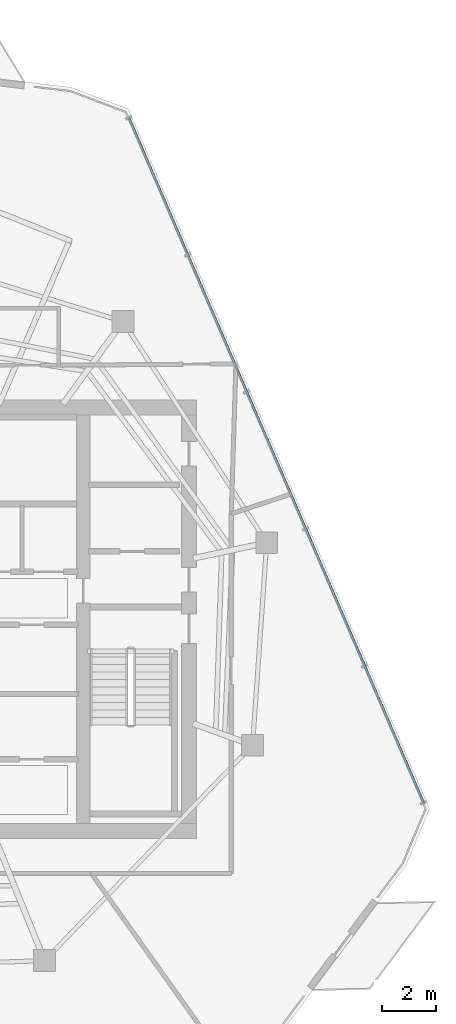
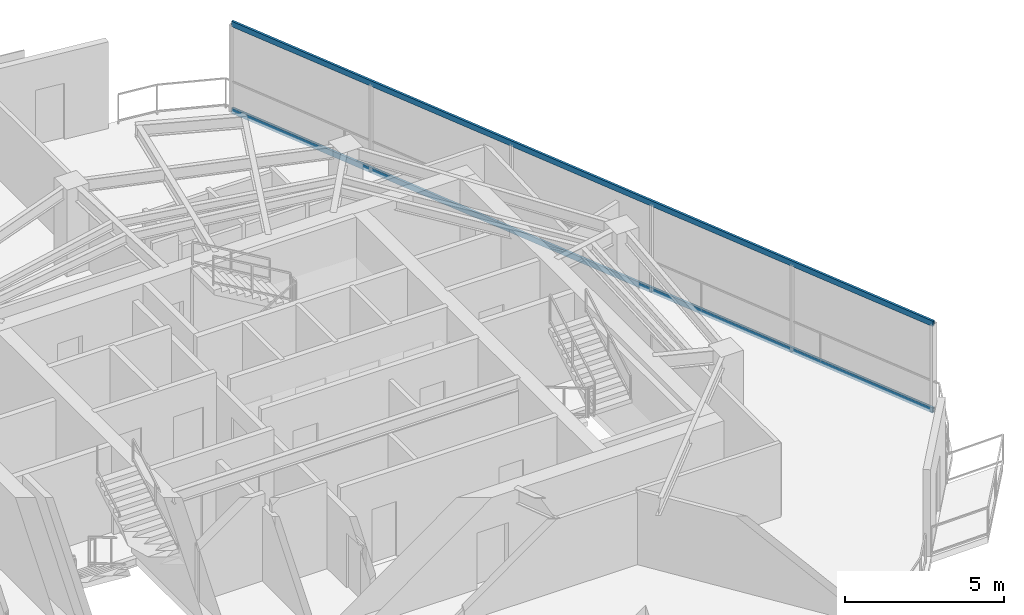
# One storey, part 11 of 18: 2 members, 1 element without a shape of its own.
"""IFC4 building model written with IfcOpenShell, lengths in metres."""

from ifc_helpers import new_model, si_unit, direction, frame, origin, origin_2d, place, context, subcontext, project, spatial, hollow_rectangle, extrude, material, layer, layer_set, material_profile, profile_set, type_object, element, aggregate, save


model = new_model("IFC4")

# Units and contexts
model_context = context("Model", 3, precision=1e-05, world=origin(), true_north=direction((0.0, 1.0)))
body_context = subcontext(model_context, "Body", "Model", "MODEL_VIEW")
ifc_project = project(units=[si_unit("LENGTHUNIT", "METRE"), si_unit("AREAUNIT", "SQUARE_METRE"), si_unit("VOLUMEUNIT", "CUBIC_METRE"), si_unit("PLANEANGLEUNIT", "RADIAN"), si_unit("MASSUNIT", "GRAM", prefix="KILO")], contexts=[model_context])

# Site, building, storey
site_placement = place(None, origin())
site = spatial("IfcSite", under=ifc_project, at=site_placement, CompositionType="ELEMENT")
building_placement = place(site_placement, origin())
building = spatial("IfcBuilding", under=site, at=building_placement, Name="Qarnah Convention Tower", CompositionType="ELEMENT")
storey_placement = place(building_placement, frame((0.0, 0.0, 267.89990234375)))
storey = spatial("IfcBuildingStorey", under=building, at=storey_placement, Name="L72", CompositionType="ELEMENT", Elevation=267.89990234375)

# Curtain wall, members
ifc_material_1 = material(Name="Tempered Low-E dark glass", Category="glass")
ifc_layer = layer(ifc_material_1, 0.176025390625)
ifc_layer_set = layer_set([ifc_layer], Name="Tempered Low-E dark glass")
curtain_wall_type = type_object("IfcCurtainWallType", Name="CWS-05", PredefinedType="NOTDEFINED", material=ifc_layer_set)
curtain_wall_placement = place(storey_placement, origin())
curtain_wall = element("IfcCurtainWall", 1, at=curtain_wall_placement, inside=storey, type_object=curtain_wall_type, Name="L72 unitised curtain wall CW-L72-F1", PredefinedType="NOTDEFINED")
ifc_material_2 = material(Name="Black anodised aluminium", Category="aluminium")
ifc_material_profile = material_profile(ifc_material_2, hollow_rectangle(XDim=0.080078125, YDim=0.2099609375, WallThickness=0.0048828125, at=origin_2d()), Name="TRN-80X210")
ifc_profile_set = profile_set([ifc_material_profile], Name="Black anodised aluminium")
member_type = type_object("IfcMemberType", Name="TRN-T5", PredefinedType="USERDEFINED", material=ifc_profile_set)
member_1_placement = place(storey_placement, frame((45.3798828125, 44.85595703125, 0.0), z_axis=(0.395218159443, -0.91858728842, 0.0), x_axis=(0.91858728842, 0.395218159443, 0.0)))
member_1 = element("IfcMember", 2, at=member_1_placement, type_object=member_type, Name="CW-L72-F1 transom 1", ObjectType="TRANSOM", PredefinedType="USERDEFINED", context=body_context, shape_type="SweptSolid", body=[
    extrude(hollow_rectangle(XDim=0.080078125, YDim=0.2099609375, WallThickness=0.0048828125, at=origin_2d()), origin(), (0.0, 0.0, 1.0), 27.441162109375),
])
member_2_placement = place(storey_placement, frame((45.3798828125, 44.85595703125, 3.320068359375), z_axis=(0.395218159443, -0.91858728842, 0.0), x_axis=(0.91858728842, 0.395218159443, 0.0)))
member_2 = element("IfcMember", 3, at=member_2_placement, type_object=member_type, Name="CW-L72-F1 transom 2", ObjectType="TRANSOM", PredefinedType="USERDEFINED", context=body_context, shape_type="SweptSolid", body=[
    extrude(hollow_rectangle(XDim=0.080078125, YDim=0.2099609375, WallThickness=0.0048828125, at=origin_2d()), origin(), (0.0, 0.0, 1.0), 27.441162109375),
])
aggregate(curtain_wall, [member_1, member_2])

save(model, "model.ifc")
